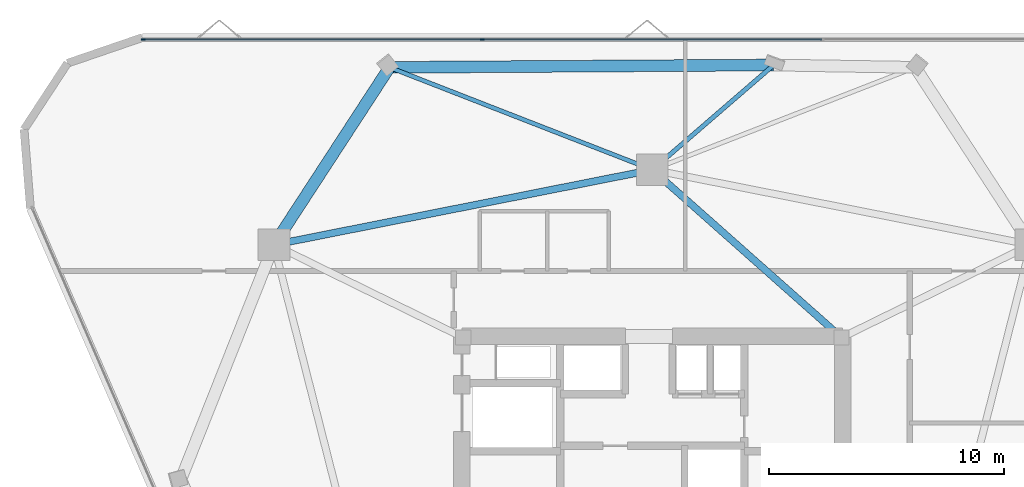
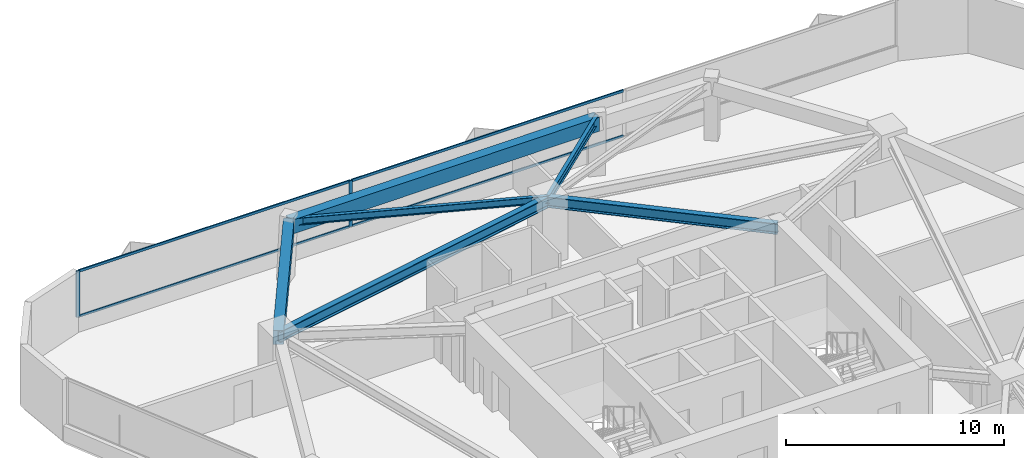
# One storey, part 6 of 12: 6 beams, 6 members, 1 element without a shape of its own.
"""IFC4 building model written with IfcOpenShell, lengths in metres."""

from ifc_helpers import new_model, si_unit, direction, frame, origin, origin_2d, place, context, subcontext, project, spatial, rectangle, i_section, extrude, material, layer, layer_set, material_profile, profile_set, type_object, element, aggregate, save


model = new_model("IFC4")

# Units and contexts
model_context = context("Model", 3, precision=1e-05, world=origin(), true_north=direction((0.0, 1.0)))
body_context = subcontext(model_context, "Body", "Model", "MODEL_VIEW")
ifc_project = project(units=[si_unit("LENGTHUNIT", "METRE"), si_unit("AREAUNIT", "SQUARE_METRE"), si_unit("VOLUMEUNIT", "CUBIC_METRE"), si_unit("PLANEANGLEUNIT", "RADIAN"), si_unit("MASSUNIT", "GRAM", prefix="KILO")], contexts=[model_context])

# Site, building, storey
site_placement = place(None, origin())
site = spatial("IfcSite", under=ifc_project, at=site_placement, CompositionType="ELEMENT")
building_placement = place(site_placement, origin())
building = spatial("IfcBuilding", under=site, at=building_placement, Name="Talyreon Biosciences Tower", CompositionType="ELEMENT")
storey_placement = place(building_placement, frame((0.0, 0.0, 183.050048828125)))
storey = spatial("IfcBuildingStorey", under=building, at=storey_placement, Name="L48", CompositionType="ELEMENT", Elevation=183.050048828125)

# Curtain wall, members
ifc_material_1 = material(Name="Thermally broken aluminium and low-E glazing", Category="aluminium")
ifc_layer = layer(ifc_material_1, 0.179931640625)
ifc_layer_set = layer_set([ifc_layer], Name="Thermally broken aluminium and low-E glazing")
curtain_wall_type = type_object("IfcCurtainWallType", Name="CurtainWall_Zone4Optical", PredefinedType="NOTDEFINED", material=ifc_layer_set)
curtain_wall_placement = place(storey_placement, origin())
curtain_wall = element("IfcCurtainWall", 1, at=curtain_wall_placement, inside=storey, type_object=curtain_wall_type, Name="L48 Unitised Curtain Wall FCW-L48-04", PredefinedType="NOTDEFINED")
ifc_material_2 = material(Name="Anodised thermally broken aluminium", Category="aluminium")
ifc_material_profile_1 = material_profile(ifc_material_2, rectangle(XDim=0.06494140625, YDim=0.179931640625, at=origin_2d()), Name="ALUM MULLION 65x180")
ifc_profile_set_1 = profile_set([ifc_material_profile_1], Name="Anodised thermally broken aluminium")
member_type_1 = type_object("IfcMemberType", Name="CWMullion_65x180", PredefinedType="MULLION", material=ifc_profile_set_1)
member_1_placement = place(storey_placement, frame((44.336181640625, 87.3388671875, 0.81005859375), z_axis=(0.0, 0.0, 1.0), x_axis=(0.0, 1.0, 0.0)))
member_1 = element("IfcMember", 2, at=member_1_placement, type_object=member_type_1, Name="CW5 mullion 1", PredefinedType="MULLION", context=body_context, shape_type="SweptSolid", body=[
    extrude(rectangle(XDim=0.06494140625, YDim=0.179931640625, at=origin_2d()), origin(), (0.0, 0.0, 1.0), 2.58984375),
])
member_2_placement = place(storey_placement, frame((58.767822265625, 87.3388671875, 0.81005859375), z_axis=(0.0, 0.0, 1.0), x_axis=(0.0, 1.0, 0.0)))
member_2 = element("IfcMember", 3, at=member_2_placement, type_object=member_type_1, Name="CW5 mullion 2", PredefinedType="MULLION", context=body_context, shape_type="SweptSolid", body=[
    extrude(rectangle(XDim=0.06494140625, YDim=0.179931640625, at=origin_2d()), origin(), (0.0, 0.0, 1.0), 2.58984375),
])
ifc_material_profile_2 = material_profile(ifc_material_2, rectangle(XDim=0.06494140625, YDim=0.139892578125, at=origin_2d()), Name="ALUM TRANSOM 65x140")
ifc_profile_set_2 = profile_set([ifc_material_profile_2], Name="Anodised thermally broken aluminium")
member_type_2 = type_object("IfcMemberType", Name="CWTransom_65x140", PredefinedType="USERDEFINED", material=ifc_profile_set_2)
member_3_placement = place(storey_placement, frame((44.368896484375, 87.3388671875, 0.842529296875), z_axis=(1.0, 0.0, 0.0), x_axis=(0.0, 1.0, 0.0)))
member_3 = element("IfcMember", 4, at=member_3_placement, type_object=member_type_2, Name="CW5 transom 1.1", ObjectType="TRANSOM", PredefinedType="USERDEFINED", context=body_context, shape_type="SweptSolid", body=[
    extrude(rectangle(XDim=0.06494140625, YDim=0.139892578125, at=origin_2d()), origin(), (0.0, 0.0, 1.0), 14.366455078125),
])
member_4_placement = place(storey_placement, frame((44.368896484375, 87.3388671875, 3.367431640625), z_axis=(1.0, 0.0, 0.0), x_axis=(0.0, 1.0, 0.0)))
member_4 = element("IfcMember", 5, at=member_4_placement, type_object=member_type_2, Name="CW5 transom 1.2", ObjectType="TRANSOM", PredefinedType="USERDEFINED", context=body_context, shape_type="SweptSolid", body=[
    extrude(rectangle(XDim=0.06494140625, YDim=0.139892578125, at=origin_2d()), origin(), (0.0, 0.0, 1.0), 14.366455078125),
])
member_5_placement = place(storey_placement, frame((58.800537109375, 87.3388671875, 0.842529296875), z_axis=(1.0, 0.0, 0.0), x_axis=(0.0, 1.0, 0.0)))
member_5 = element("IfcMember", 6, at=member_5_placement, type_object=member_type_2, Name="CW5 transom 2.1", ObjectType="TRANSOM", PredefinedType="USERDEFINED", context=body_context, shape_type="SweptSolid", body=[
    extrude(rectangle(XDim=0.06494140625, YDim=0.139892578125, at=origin_2d()), origin(), (0.0, 0.0, 1.0), 14.39892578125),
])
member_6_placement = place(storey_placement, frame((58.800537109375, 87.3388671875, 3.367431640625), z_axis=(1.0, 0.0, 0.0), x_axis=(0.0, 1.0, 0.0)))
member_6 = element("IfcMember", 7, at=member_6_placement, type_object=member_type_2, Name="CW5 transom 2.2", ObjectType="TRANSOM", PredefinedType="USERDEFINED", context=body_context, shape_type="SweptSolid", body=[
    extrude(rectangle(XDim=0.06494140625, YDim=0.139892578125, at=origin_2d()), origin(), (0.0, 0.0, 1.0), 14.39892578125),
])
aggregate(curtain_wall, [member_1, member_2, member_3, member_4, member_5, member_6])

# Beams
ifc_material_3 = material(Name="Precast concrete C45/55", Category="concrete")
ifc_material_profile_3 = material_profile(ifc_material_3, rectangle(XDim=0.5, YDim=0.780029296875, at=origin_2d()), Name="RCB 500x780")
ifc_profile_set_3 = profile_set([ifc_material_profile_3], Name="Precast concrete C45/55")
beam_type_1 = type_object("IfcBeamType", Name="ExpressedSpandrel_500x780", PredefinedType="SPANDREL", material=ifc_profile_set_3)
beam_1_placement = place(storey_placement, frame((71.161865234375, 86.24658203125, 3.010009765625), z_axis=(-0.999981250684, -0.006123583899, 0.0), x_axis=(0.006123583899, -0.999981250684, 0.0)))
element("IfcBeam", 8, at=beam_1_placement, inside=storey, type_object=beam_type_1, Name="L48 Expressed Horizontal Concrete Spandrel 07", PredefinedType="SPANDREL", context=body_context, shape_type="SweptSolid", body=[
    extrude(rectangle(XDim=0.5, YDim=0.780029296875, at=origin_2d()), origin(), (0.0, 0.0, 1.0), 16.34619140625),
])
beam_2_placement = place(storey_placement, frame((54.81591796875, 86.146484375, 3.010009765625), z_axis=(-0.545932938382, -0.837828876794, 0.0), x_axis=(0.837828876794, -0.545932938382, 0.0)))
element("IfcBeam", 9, at=beam_2_placement, inside=storey, type_object=beam_type_1, Name="L48 Expressed Horizontal Concrete Spandrel 08", PredefinedType="SPANDREL", context=body_context, shape_type="SweptSolid", body=[
    extrude(rectangle(XDim=0.5, YDim=0.780029296875, at=origin_2d()), origin(), (0.0, 0.0, 1.0), 9.0087890625),
])
ifc_material_4 = material(Name="Steel SM355", Category="steel")
ifc_material_profile_4 = material_profile(ifc_material_4, i_section(OverallWidth=0.300048828125, OverallDepth=0.60009765625, WebThickness=0.015380859375, FlangeThickness=0.030029296875, FilletRadius=0.027099609375, at=origin_2d()), Name="HE600B")
ifc_profile_set_4 = profile_set([ifc_material_profile_4], Name="Steel SM355")
beam_type_2 = type_object("IfcBeamType", Name="SteelBeam_HE600B", PredefinedType="BEAM", material=ifc_profile_set_4)
beam_3_placement = place(storey_placement, frame((66.0, 81.788818359375, 3.099853515625), z_axis=(-0.980933730698, -0.194342522311, 0.0), x_axis=(0.194342522311, -0.980933730698, 0.0)))
element("IfcBeam", 10, at=beam_3_placement, inside=storey, type_object=beam_type_2, Name="L48 Mega-Ring Girder 4", PredefinedType="BEAM", context=body_context, shape_type="SweptSolid", body=[
    extrude(i_section(OverallWidth=0.300048828125, OverallDepth=0.60009765625, WebThickness=0.015380859375, FlangeThickness=0.030029296875, FilletRadius=0.027099609375, at=origin_2d()), origin(), (0.0, 0.0, 1.0), 16.415283203125),
])
beam_4_placement = place(storey_placement, frame((74.050048828125, 74.64990234375, 3.099853515625), z_axis=(-0.748178733955, 0.663497235908, 0.0), x_axis=(-0.663497235908, -0.748178733955, 0.0)))
element("IfcBeam", 11, at=beam_4_placement, inside=storey, type_object=beam_type_2, Name="L48 Radial Primary Girder 4", PredefinedType="BEAM", context=body_context, shape_type="SweptSolid", body=[
    extrude(i_section(OverallWidth=0.300048828125, OverallDepth=0.60009765625, WebThickness=0.015380859375, FlangeThickness=0.030029296875, FilletRadius=0.027099609375, at=origin_2d()), origin(), (0.0, 0.0, 1.0), 10.759521484375),
])
ifc_material_profile_5 = material_profile(ifc_material_4, i_section(OverallWidth=0.179931640625, OverallDepth=0.39990234375, WebThickness=0.008544921875, FlangeThickness=0.013427734375, FilletRadius=0.02099609375, at=origin_2d()), Name="IPE400")
ifc_profile_set_5 = profile_set([ifc_material_profile_5], Name="Steel SM355")
beam_type_3 = type_object("IfcBeamType", Name="SteelJoist_IPE400", PredefinedType="JOIST", material=ifc_profile_set_5)
beam_5_placement = place(storey_placement, frame((66.0, 81.788818359375, 3.199951171875), z_axis=(-0.931770869008, 0.363046894585, 0.0), x_axis=(-0.363046894585, -0.931770869008, 0.0)))
element("IfcBeam", 12, at=beam_5_placement, inside=storey, type_object=beam_type_3, Name="L48 Radial Composite Floor Joist PC-N2", PredefinedType="JOIST", context=body_context, shape_type="SweptSolid", body=[
    extrude(i_section(OverallWidth=0.179931640625, OverallDepth=0.39990234375, WebThickness=0.008544921875, FlangeThickness=0.013427734375, FilletRadius=0.02099609375, at=origin_2d()), origin(), (0.0, 0.0, 1.0), 12.0029296875),
])
ifc_material_profile_6 = material_profile(ifc_material_4, i_section(OverallWidth=0.18994140625, OverallDepth=0.449951171875, WebThickness=0.009521484375, FlangeThickness=0.0146484375, FilletRadius=0.02099609375, at=origin_2d()), Name="IPE450")
ifc_profile_set_6 = profile_set([ifc_material_profile_6], Name="Steel SM355")
beam_type_4 = type_object("IfcBeamType", Name="SteelJoist_IPE450", PredefinedType="JOIST", material=ifc_profile_set_6)
beam_6_placement = place(storey_placement, frame((66.0, 81.788818359375, 3.175048828125), z_axis=(0.756838300361, 0.653602162716, 0.0), x_axis=(-0.653602162716, 0.756838300361, 0.0)))
element("IfcBeam", 13, at=beam_6_placement, inside=storey, type_object=beam_type_4, Name="L48 Radial Composite Floor Joist PL-N", PredefinedType="JOIST", context=body_context, shape_type="SweptSolid", body=[
    extrude(i_section(OverallWidth=0.18994140625, OverallDepth=0.449951171875, WebThickness=0.009521484375, FlangeThickness=0.0146484375, FilletRadius=0.02099609375, at=origin_2d()), origin(), (0.0, 0.0, 1.0), 6.8203125),
])

save(model, "model.ifc")
